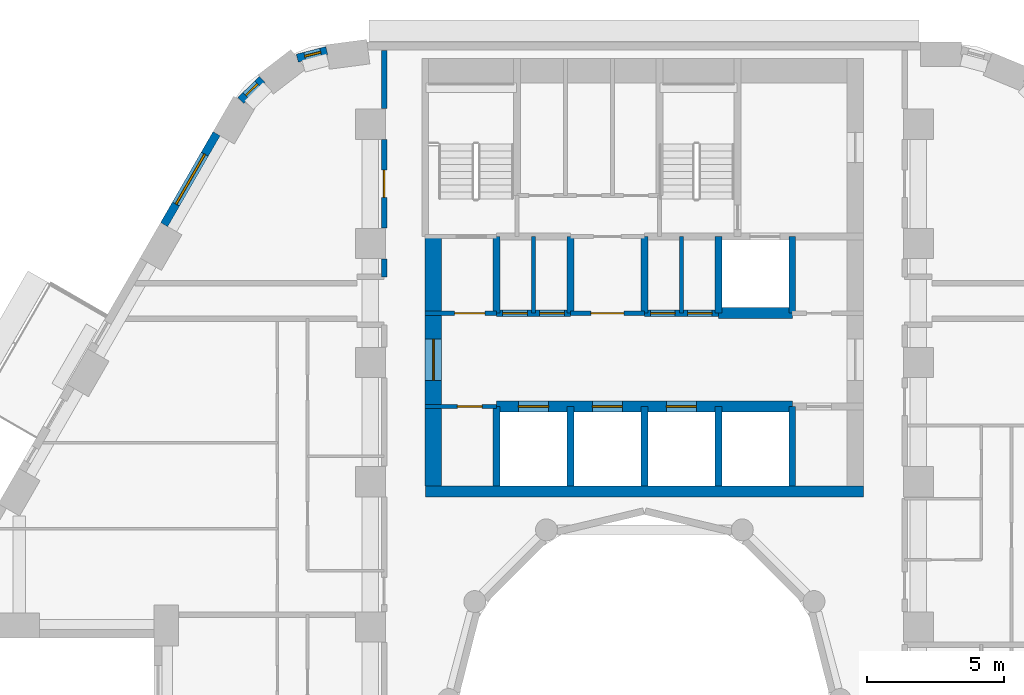
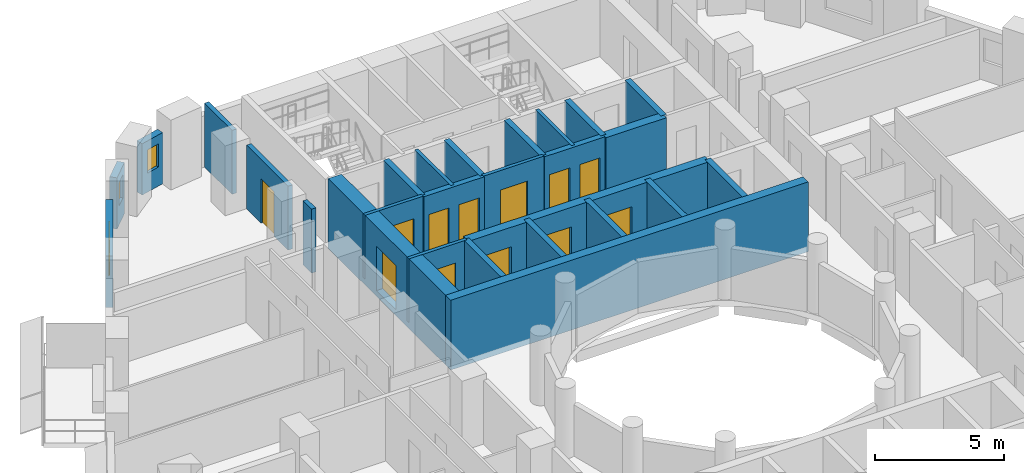
# One storey, part 7 of 13: 27 walls, 12 doors, 3 windows, 15 openings.
"""IFC4 building model written with IfcOpenShell, lengths in metres."""

from ifc_helpers import new_model, si_unit, direction, frame, frame_2d, origin, place, context, subcontext, project, spatial, rectangle, extrude, material, layer, layer_set, type_object, element, fill, save


model = new_model("IFC4")

# Units and contexts
model_context = context("Model", 3, precision=1e-05, world=origin(), true_north=direction((0.0, 1.0)))
body_context = subcontext(model_context, "Body", "Model", "MODEL_VIEW")
ifc_project = project(units=[si_unit("LENGTHUNIT", "METRE"), si_unit("AREAUNIT", "SQUARE_METRE"), si_unit("VOLUMEUNIT", "CUBIC_METRE"), si_unit("PLANEANGLEUNIT", "RADIAN"), si_unit("MASSUNIT", "GRAM", prefix="KILO")], contexts=[model_context])

# Site, building, storey
site_placement = place(None, origin())
site = spatial("IfcSite", under=ifc_project, at=site_placement, CompositionType="ELEMENT")
building_placement = place(site_placement, origin())
building = spatial("IfcBuilding", under=site, at=building_placement, Name="Nakaniwa Court", CompositionType="ELEMENT")
storey_placement = place(building_placement, frame((0.0, 0.0, 44.699951171875)))
storey = spatial("IfcBuildingStorey", under=building, at=storey_placement, Name="L11", CompositionType="ELEMENT", Elevation=44.699951171875)

# Wall
ifc_material_1 = material(Name="Acoustic double stud partition")
ifc_layer_1 = layer(ifc_material_1, 0.199951171875)
ifc_layer_set_1 = layer_set([ifc_layer_1], Name="Acoustic double stud partition")
wall_type_1 = type_object("IfcWallType", Name="Acoustic double stud partition 200", PredefinedType="PARTITIONING", material=ifc_layer_set_1)
wall_1_placement = place(storey_placement, frame((70.5, 95.422119140625, 0.0), z_axis=(0.0, 0.0, 1.0), x_axis=(0.0, 1.0, 0.0)))
element("IfcWall", 1, at=wall_1_placement, inside=storey, type_object=wall_type_1, Name="Partition PW-110", PredefinedType="PARTITIONING", context=body_context, shape_type="SweptSolid", body=[
    extrude(rectangle(XDim=0.660888671875, YDim=0.199951171875, at=frame_2d((0.33056640625, 0.0))), origin(), (0.0, 0.0, 1.0), 3.025146484375),
])

# Wall, opening, door
wall_2_placement = place(storey_placement, frame((70.5, 97.217041015625, 0.0), z_axis=(0.0, 0.0, 1.0), x_axis=(0.0, 1.0, 0.0)))
wall_2 = element("IfcWall", 2, at=wall_2_placement, inside=storey, type_object=wall_type_1, Name="Partition PW-111", PredefinedType="PARTITIONING", context=body_context, shape_type="SweptSolid", body=[
    extrude(rectangle(XDim=3.216064453125, YDim=0.199951171875, at=frame_2d((1.60791015625, 0.0))), origin(), (0.0, 0.0, 1.0), 3.025146484375),
])
opening_1_placement = place(wall_2_placement, frame((1.10791015625, 0.0, 0.0)))
opening_1 = element("IfcOpeningElement", 3, at=opening_1_placement, cuts=wall_2, Name="Opening D-02-04", PredefinedType="OPENING", context=body_context, shape_type="SweptSolid", body=[
    extrude(rectangle(XDim=1.0, YDim=2.10009765625, at=frame_2d((0.5, 1.050048828125))), frame((0.0, 0.10986328125, 0.0), z_axis=(0.0, -1.0, 0.0), x_axis=(1.0, 0.0, 0.0)), (0.0, 0.0, 1.0), 0.219970703125),
])
ifc_material_2 = material(Name="Solid core timber door set, black veneer", Category="wood")
door_type_1 = type_object("IfcDoorType", Name="Internal door 1000", OperationType="NOTDEFINED", PredefinedType="DOOR", material=ifc_material_2)
door_1_placement = place(opening_1_placement, origin())
door_1 = element("IfcDoor", 4, at=door_1_placement, inside=storey, type_object=door_type_1, Name="Door D-02-04 L11-056", OperationType="SINGLE_SWING_LEFT", OverallHeight=2.10009765625, OverallWidth=1.0, PredefinedType="DOOR", context=body_context, shape_type="SweptSolid", body=[
    extrude(rectangle(XDim=1.0, YDim=2.10009765625, at=frame_2d((0.5, 1.050048828125))), frame((0.0, 0.02490234375, 0.0), z_axis=(0.0, -1.0, 0.0), x_axis=(1.0, 0.0, 0.0)), (0.0, 0.0, 1.0), 0.050048828125),
])
fill(opening_1, door_1)

# Wall
wall_3_placement = place(storey_placement, frame((70.5, 101.56689453125, 0.0), z_axis=(0.0, 0.0, 1.0), x_axis=(0.0, 1.0, 0.0)))
element("IfcWall", 5, at=wall_3_placement, inside=storey, type_object=wall_type_1, Name="Partition PW-112", PredefinedType="PARTITIONING", context=body_context, shape_type="SweptSolid", body=[
    extrude(rectangle(XDim=2.133056640625, YDim=0.199951171875, at=frame_2d((1.06640625, 0.0))), origin(), (0.0, 0.0, 1.0), 3.025146484375),
])

# Wall, opening, window
ifc_material_3 = material(Name="Charcoal ceramic cladding")
ifc_layer_2 = layer(ifc_material_3, 0.02, Name="Ceramic cladding")
ifc_material_4 = material(Name="Ventilated air cavity")
ifc_layer_3 = layer(ifc_material_4, 0.04, ventilated=True, Name="Ventilated cavity")
ifc_material_5 = material(Name="Mineral wool insulation")
ifc_layer_4 = layer(ifc_material_5, 0.1, Name="Insulation")
ifc_material_6 = material(Name="Cement bonded sheathing board")
ifc_layer_5 = layer(ifc_material_6, 0.012, Name="Sheathing")
ifc_material_7 = material(Name="Cold-formed galvanised stud frame with mineral wool infill")
ifc_layer_6 = layer(ifc_material_7, 0.1, Name="Stud frame")
ifc_material_8 = material(Name="Fire-rated gypsum plasterboard lining")
ifc_layer_7 = layer(ifc_material_8, 0.028, Name="Lining")
ifc_layer_set_2 = layer_set([ifc_layer_2, ifc_layer_3, ifc_layer_4, ifc_layer_5, ifc_layer_6, ifc_layer_7], Name="Charcoal ceramic faced external wall system")
wall_type_2 = type_object("IfcWallType", Name="Black ceramic faced external wall 300", PredefinedType="SOLIDWALL", material=ifc_layer_set_2)
wall_4_placement = place(storey_placement, frame((68.4052734375, 103.68310546875, 0.0), z_axis=(0.0, 0.0, 1.0), x_axis=(-0.969766298956, -0.244035500304, 0.0)))
wall_4 = element("IfcWall", 6, at=wall_4_placement, inside=storey, type_object=wall_type_2, Name="L11 external wall 09", PredefinedType="SOLIDWALL", context=body_context, shape_type="SweptSolid", body=[
    extrude(rectangle(XDim=1.110595703125, YDim=0.300048828125, at=frame_2d((0.55517578125, 0.0))), origin(), (0.0, 0.0, 1.0), 2.425048828125),
])
opening_2_placement = place(wall_4_placement, frame((0.230712890625, 0.0, 0.89990234375)))
opening_2 = element("IfcOpeningElement", 7, at=opening_2_placement, cuts=wall_4, Name="Opening W8.10", PredefinedType="OPENING", context=body_context, shape_type="SweptSolid", body=[
    extrude(rectangle(XDim=0.60009765625, YDim=1.10009765625, at=frame_2d((0.300048828125, 0.550048828125))), frame((0.0, 0.159912109375, 0.0), z_axis=(0.0, -1.0, 0.0), x_axis=(1.0, 0.0, 0.0)), (0.0, 0.0, 1.0), 0.320068359375),
])
ifc_material_9 = material(Name="Black anodised aluminium frame with dark low-E laminated double glazing", Category="aluminium")
window_type_1 = type_object("IfcWindowType", Name="Dark glass window 600x1100 sill 900", PartitioningType="SINGLE_PANEL", PredefinedType="WINDOW", material=ifc_material_9)
window_1_placement = place(opening_2_placement, origin())
window_1 = element("IfcWindow", 8, at=window_1_placement, inside=storey, type_object=window_type_1, Name="L11 habitable room window 09-0", OverallHeight=1.10009765625, OverallWidth=0.60009765625, PartitioningType="SINGLE_PANEL", PredefinedType="WINDOW", context=body_context, shape_type="SweptSolid", body=[
    extrude(rectangle(XDim=0.60009765625, YDim=1.10009765625, at=frame_2d((0.300048828125, 0.550048828125))), frame((0.0, 0.030029296875, 0.0), z_axis=(0.0, -1.0, 0.0), x_axis=(1.0, 0.0, 0.0)), (0.0, 0.0, 1.0), 0.06005859375),
])
fill(opening_2, window_1)

wall_5_placement = place(storey_placement, frame((66.04150390625, 102.637451171875, 0.0), z_axis=(0.0, 0.0, 1.0), x_axis=(-0.708892395813, -0.705316646024, 0.0)))
wall_5 = element("IfcWall", 9, at=wall_5_placement, inside=storey, type_object=wall_type_2, Name="L11 external wall 10", PredefinedType="SOLIDWALL", context=body_context, shape_type="SweptSolid", body=[
    extrude(rectangle(XDim=1.092529296875, YDim=0.300048828125, at=frame_2d((0.54638671875, 0.0))), origin(), (0.0, 0.0, 1.0), 2.425048828125),
])
opening_3_placement = place(wall_5_placement, frame((0.23583984375, 0.0, 0.89990234375)))
opening_3 = element("IfcOpeningElement", 10, at=opening_3_placement, cuts=wall_5, Name="Opening W8.11", PredefinedType="OPENING", context=body_context, shape_type="SweptSolid", body=[
    extrude(rectangle(XDim=0.60009765625, YDim=1.10009765625, at=frame_2d((0.300048828125, 0.550048828125))), frame((0.0, 0.159912109375, 0.0), z_axis=(0.0, -1.0, 0.0), x_axis=(1.0, 0.0, 0.0)), (0.0, 0.0, 1.0), 0.320068359375),
])
window_2_placement = place(opening_3_placement, origin())
window_2 = element("IfcWindow", 11, at=window_2_placement, inside=storey, type_object=window_type_1, Name="L11 habitable room window 10-0", OverallHeight=1.10009765625, OverallWidth=0.60009765625, PartitioningType="SINGLE_PANEL", PredefinedType="WINDOW", context=body_context, shape_type="SweptSolid", body=[
    extrude(rectangle(XDim=0.60009765625, YDim=1.10009765625, at=frame_2d((0.300048828125, 0.550048828125))), frame((0.0, 0.030029296875, 0.0), z_axis=(0.0, -1.0, 0.0), x_axis=(1.0, 0.0, 0.0)), (0.0, 0.0, 1.0), 0.06005859375),
])
fill(opening_3, window_2)

wall_6_placement = place(storey_placement, frame((64.384765625, 100.653564453125, 0.0), z_axis=(0.0, 0.0, 1.0), x_axis=(-0.499974163209, -0.866040320149, 0.0)))
wall_6 = element("IfcWall", 12, at=wall_6_placement, inside=storey, type_object=wall_type_2, Name="L11 external wall 11", PredefinedType="SOLIDWALL", context=body_context, shape_type="SweptSolid", body=[
    extrude(rectangle(XDim=3.834228515625, YDim=0.300048828125, at=frame_2d((1.9169921875, 0.0))), origin(), (0.0, 0.0, 1.0), 2.425048828125),
])
opening_4_placement = place(wall_6_placement, frame((0.866943359375, 0.0, 0.89990234375)))
opening_4 = element("IfcOpeningElement", 13, at=opening_4_placement, cuts=wall_6, Name="Opening W7.12", PredefinedType="OPENING", context=body_context, shape_type="SweptSolid", body=[
    extrude(rectangle(XDim=2.10009765625, YDim=1.10009765625, at=frame_2d((1.050048828125, 0.550048828125))), frame((0.0, 0.159912109375, 0.0), z_axis=(0.0, -1.0, 0.0), x_axis=(1.0, 0.0, 0.0)), (0.0, 0.0, 1.0), 0.320068359375),
])
window_type_2 = type_object("IfcWindowType", Name="Dark glass window 2100x1100 sill 900", PartitioningType="SINGLE_PANEL", PredefinedType="WINDOW", material=ifc_material_9)
window_3_placement = place(opening_4_placement, origin())
window_3 = element("IfcWindow", 14, at=window_3_placement, inside=storey, type_object=window_type_2, Name="L11 habitable room window 11-0", OverallHeight=1.10009765625, OverallWidth=2.10009765625, PartitioningType="SINGLE_PANEL", PredefinedType="WINDOW", context=body_context, shape_type="SweptSolid", body=[
    extrude(rectangle(XDim=2.10009765625, YDim=1.10009765625, at=frame_2d((1.050048828125, 0.550048828125))), frame((0.0, 0.030029296875, 0.0), z_axis=(0.0, -1.0, 0.0), x_axis=(1.0, 0.0, 0.0)), (0.0, 0.0, 1.0), 0.06005859375),
])
fill(opening_4, window_3)

# Wall, opening, door
ifc_material_10 = material(Name="Blockwork partition", Category="masonry")
ifc_layer_8 = layer(ifc_material_10, 0.14990234375)
ifc_layer_set_3 = layer_set([ifc_layer_8], Name="Blockwork partition")
wall_type_3 = type_object("IfcWallType", Name="Blockwork partition 150", PredefinedType="PARTITIONING", material=ifc_layer_set_3)
wall_7_placement = place(storey_placement, frame((74.60009765625, 90.699951171875, 0.0), z_axis=(0.0, 0.0, 1.0), x_axis=(-1.0, 0.0, 0.0)))
wall_7 = element("IfcWall", 15, at=wall_7_placement, inside=storey, type_object=wall_type_3, Name="Partition PW-003", PredefinedType="PARTITIONING", context=body_context, shape_type="SweptSolid", body=[
    extrude(rectangle(XDim=2.60009765625, YDim=0.14990234375, at=frame_2d((1.300048828125, 0.0))), origin(), (0.0, 0.0, 1.0), 3.025146484375),
])
opening_5_placement = place(wall_7_placement, frame((0.52490234375, 0.0, 0.0)))
opening_5 = element("IfcOpeningElement", 16, at=opening_5_placement, cuts=wall_7, Name="Opening D-05-01", PredefinedType="OPENING", context=body_context, shape_type="SweptSolid", body=[
    extrude(rectangle(XDim=0.89990234375, YDim=2.10009765625, at=frame_2d((0.449951171875, 1.050048828125))), frame((0.0, 0.0849609375, 0.0), z_axis=(0.0, -1.0, 0.0), x_axis=(1.0, 0.0, 0.0)), (0.0, 0.0, 1.0), 0.169921875),
])
ifc_material_11 = material(Name="Fire rated steel door set", Category="steel")
door_type_2 = type_object("IfcDoorType", Name="Service room door 900", OperationType="NOTDEFINED", PredefinedType="DOOR", material=ifc_material_11)
door_2_placement = place(opening_5_placement, origin())
door_2 = element("IfcDoor", 17, at=door_2_placement, inside=storey, type_object=door_type_2, Name="Door D-05-01 L11-001", OperationType="SINGLE_SWING_RIGHT", OverallHeight=2.10009765625, OverallWidth=0.89990234375, PredefinedType="DOOR", context=body_context, shape_type="SweptSolid", body=[
    extrude(rectangle(XDim=0.89990234375, YDim=2.10009765625, at=frame_2d((0.449951171875, 1.050048828125))), frame((0.0, 0.02490234375, 0.0), z_axis=(0.0, -1.0, 0.0), x_axis=(1.0, 0.0, 0.0)), (0.0, 0.0, 1.0), 0.050048828125),
])
fill(opening_5, door_2)

wall_8_placement = place(storey_placement, frame((72.0, 94.10009765625, 0.0), z_axis=(0.0, 0.0, 1.0), x_axis=(1.0, 0.0, 0.0)))
wall_8 = element("IfcWall", 18, at=wall_8_placement, inside=storey, type_object=wall_type_3, Name="Partition PW-016", PredefinedType="PARTITIONING", context=body_context, shape_type="SweptSolid", body=[
    extrude(rectangle(XDim=2.60302734375, YDim=0.14990234375, at=frame_2d((1.301513671875, 0.0))), origin(), (0.0, 0.0, 1.0), 3.025146484375),
])
opening_6_placement = place(wall_8_placement, frame((1.074951171875, 0.0, 0.0)))
opening_6 = element("IfcOpeningElement", 19, at=opening_6_placement, cuts=wall_8, Name="Opening D-08-01", PredefinedType="OPENING", context=body_context, shape_type="SweptSolid", body=[
    extrude(rectangle(XDim=1.10009765625, YDim=2.10009765625, at=frame_2d((0.550048828125, 1.050048828125))), frame((0.0, 0.0849609375, 0.0), z_axis=(0.0, -1.0, 0.0), x_axis=(1.0, 0.0, 0.0)), (0.0, 0.0, 1.0), 0.169921875),
])
door_type_3 = type_object("IfcDoorType", Name="Stair lobby door 1100", OperationType="NOTDEFINED", PredefinedType="DOOR", material=ifc_material_11)
door_3_placement = place(opening_6_placement, origin())
door_3 = element("IfcDoor", 20, at=door_3_placement, inside=storey, type_object=door_type_3, Name="Door D-08-01 L11-003", OperationType="SINGLE_SWING_RIGHT", OverallHeight=2.10009765625, OverallWidth=1.10009765625, PredefinedType="DOOR", context=body_context, shape_type="SweptSolid", body=[
    extrude(rectangle(XDim=1.10009765625, YDim=2.10009765625, at=frame_2d((0.550048828125, 1.050048828125))), frame((0.0, 0.02490234375, 0.0), z_axis=(0.0, -1.0, 0.0), x_axis=(1.0, 0.0, 0.0)), (0.0, 0.0, 1.0), 0.050048828125),
])
fill(opening_6, door_3)

wall_9_placement = place(storey_placement, frame((77.297119140625, 94.10009765625, 0.0), z_axis=(0.0, 0.0, 1.0), x_axis=(1.0, 0.0, 0.0)))
wall_9 = element("IfcWall", 21, at=wall_9_placement, inside=storey, type_object=wall_type_3, Name="Partition PW-017", PredefinedType="PARTITIONING", context=body_context, shape_type="SweptSolid", body=[
    extrude(rectangle(XDim=2.705810546875, YDim=0.14990234375, at=frame_2d((1.35302734375, 0.0))), origin(), (0.0, 0.0, 1.0), 3.025146484375),
])
opening_7_placement = place(wall_9_placement, frame((0.7529296875, 0.0, 0.0)))
opening_7 = element("IfcOpeningElement", 22, at=opening_7_placement, cuts=wall_9, Name="Opening D-06-01", PredefinedType="OPENING", context=body_context, shape_type="SweptSolid", body=[
    extrude(rectangle(XDim=1.199951171875, YDim=2.10009765625, at=frame_2d((0.60009765625, 1.050048828125))), frame((0.0, 0.0849609375, 0.0), z_axis=(0.0, -1.0, 0.0), x_axis=(1.0, 0.0, 0.0)), (0.0, 0.0, 1.0), 0.169921875),
])
ifc_material_12 = material(Name="Fire rated steel double door set", Category="steel")
door_type_4 = type_object("IfcDoorType", Name="Service passage double door 1200", OperationType="NOTDEFINED", PredefinedType="DOOR", material=ifc_material_12)
door_4_placement = place(opening_7_placement, origin())
door_4 = element("IfcDoor", 23, at=door_4_placement, inside=storey, type_object=door_type_4, Name="Door D-06-01 L11-006", OperationType="DOUBLE_DOOR_SINGLE_SWING", OverallHeight=2.10009765625, OverallWidth=1.199951171875, PredefinedType="DOOR", context=body_context, shape_type="SweptSolid", body=[
    extrude(rectangle(XDim=1.199951171875, YDim=2.10009765625, at=frame_2d((0.60009765625, 1.050048828125))), frame((0.0, 0.02490234375, 0.0), z_axis=(0.0, -1.0, 0.0), x_axis=(1.0, 0.0, 0.0)), (0.0, 0.0, 1.0), 0.050048828125),
])
fill(opening_7, door_4)

# Walls
for number, where, z_axis, x_axis, name in (
    (24, (75.949951171875, 94.10009765625, 0.0), (0.0, 0.0, 1.0), (0.0, 1.0, 0.0), "Partition PW-023"),
    (25, (81.35009765625, 94.10009765625, 0.0), (0.0, 0.0, 1.0), (0.0, 1.0, 0.0), "Partition PW-027"),
):
    element("IfcWall", number, at=place(storey_placement, frame(where, z_axis=z_axis, x_axis=x_axis)), inside=storey, type_object=wall_type_3, Name=name, PredefinedType="PARTITIONING", context=body_context, shape_type="SweptSolid", body=[
        extrude(rectangle(XDim=2.7998046875, YDim=0.14990234375, at=frame_2d((1.39990234375, 0.0))), origin(), (0.0, 0.0, 1.0), 3.025146484375),
    ])

# Wall, opening, door
ifc_material_13 = material(Name="Concrete C100/115", Category="concrete")
ifc_layer_9 = layer(ifc_material_13, 0.60009765625)
ifc_layer_set_4 = layer_set([ifc_layer_9], Name="Concrete C100/115")
wall_type_4 = type_object("IfcWallType", Name="Concrete core side wall 600 C100", PredefinedType="SHEAR", material=ifc_layer_set_4)
wall_10_placement = place(storey_placement, frame((72.300048828125, 87.800048828125, -0.27490234375), z_axis=(0.0, 0.0, 1.0), x_axis=(0.0, 1.0, 0.0)))
wall_10 = element("IfcWall", 26, at=wall_10_placement, inside=storey, type_object=wall_type_4, Name="Core wall SW-04", PredefinedType="SHEAR", context=body_context, shape_type="SweptSolid", body=[
    extrude(rectangle(XDim=9.099853515625, YDim=0.60009765625, at=frame_2d((4.5498046875, 0.0))), origin(), (0.0, 0.0, 1.0), 3.300048828125),
])
opening_8_placement = place(wall_10_placement, frame((3.85009765625, 0.0, 0.27490234375)))
opening_8 = element("IfcOpeningElement", 27, at=opening_8_placement, cuts=wall_10, Name="Opening D-07-02", PredefinedType="OPENING", context=body_context, shape_type="SweptSolid", body=[
    extrude(rectangle(XDim=1.5, YDim=2.10009765625, at=frame_2d((0.75, 1.050048828125))), frame((0.0, 0.31005859375, 0.0), z_axis=(0.0, -1.0, 0.0), x_axis=(1.0, 0.0, 0.0)), (0.0, 0.0, 1.0), 0.6201171875),
])
ifc_material_14 = material(Name="Glazed fire rated steel double door set", Category="steel")
door_type_5 = type_object("IfcDoorType", Name="Lobby double door 1500", OperationType="NOTDEFINED", PredefinedType="DOOR", material=ifc_material_14)
door_5_placement = place(opening_8_placement, origin())
door_5 = element("IfcDoor", 28, at=door_5_placement, inside=storey, type_object=door_type_5, Name="Door D-07-02 L11-061", OperationType="DOUBLE_DOOR_SINGLE_SWING", OverallHeight=2.10009765625, OverallWidth=1.5, PredefinedType="DOOR", context=body_context, shape_type="SweptSolid", body=[
    extrude(rectangle(XDim=1.5, YDim=2.10009765625, at=frame_2d((0.75, 1.050048828125))), frame((0.0, 0.02490234375, 0.0), z_axis=(0.0, -1.0, 0.0), x_axis=(1.0, 0.0, 0.0)), (0.0, 0.0, 1.0), 0.050048828125),
])
fill(opening_8, door_5)

# Wall, openings, doors
ifc_layer_10 = layer(ifc_material_13, 0.39990234375)
ifc_layer_set_5 = layer_set([ifc_layer_10], Name="Concrete C100/115")
wall_type_5 = type_object("IfcWallType", Name="Concrete core spine wall 400 C100", PredefinedType="SHEAR", material=ifc_layer_set_5)
wall_11_placement = place(storey_placement, frame((74.60009765625, 90.699951171875, -0.27490234375), z_axis=(0.0, 0.0, 1.0), x_axis=(1.0, 0.0, 0.0)))
wall_11 = element("IfcWall", 29, at=wall_11_placement, inside=storey, type_object=wall_type_5, Name="Core wall SW-07", PredefinedType="SHEAR", context=body_context, shape_type="SweptSolid", body=[
    extrude(rectangle(XDim=10.7998046875, YDim=0.39990234375, at=frame_2d((5.39990234375, 0.0))), origin(), (0.0, 0.0, 1.0), 3.300048828125),
])
opening_9_placement = place(wall_11_placement, frame((0.800048828125, 0.0, 0.27490234375)))
opening_9 = element("IfcOpeningElement", 30, at=opening_9_placement, cuts=wall_11, Name="Opening LD01", PredefinedType="OPENING", context=body_context, shape_type="SweptSolid", body=[
    extrude(rectangle(XDim=1.10009765625, YDim=2.10009765625, at=frame_2d((0.550048828125, 1.050048828125))), frame((0.0, 0.2099609375, 0.0), z_axis=(0.0, -1.0, 0.0), x_axis=(1.0, 0.0, 0.0)), (0.0, 0.0, 1.0), 0.419921875),
])
opening_10_placement = place(wall_11_placement, frame((3.5, 0.0, 0.27490234375)))
opening_10 = element("IfcOpeningElement", 31, at=opening_10_placement, cuts=wall_11, Name="Opening LD02", PredefinedType="OPENING", context=body_context, shape_type="SweptSolid", body=[
    extrude(rectangle(XDim=1.10009765625, YDim=2.10009765625, at=frame_2d((0.550048828125, 1.050048828125))), frame((0.0, 0.2099609375, 0.0), z_axis=(0.0, -1.0, 0.0), x_axis=(1.0, 0.0, 0.0)), (0.0, 0.0, 1.0), 0.419921875),
])
opening_11_placement = place(wall_11_placement, frame((6.199951171875, 0.0, 0.27490234375)))
opening_11 = element("IfcOpeningElement", 32, at=opening_11_placement, cuts=wall_11, Name="Opening LD03", PredefinedType="OPENING", context=body_context, shape_type="SweptSolid", body=[
    extrude(rectangle(XDim=1.10009765625, YDim=2.10009765625, at=frame_2d((0.550048828125, 1.050048828125))), frame((0.0, 0.2099609375, 0.0), z_axis=(0.0, -1.0, 0.0), x_axis=(1.0, 0.0, 0.0)), (0.0, 0.0, 1.0), 0.419921875),
])
ifc_material_15 = material(Name="Stainless steel sliding lift landing door", Category="steel")
door_type_6 = type_object("IfcDoorType", Name="Lift landing door 1100", OperationType="NOTDEFINED", PredefinedType="DOOR", material=ifc_material_15)
door_6_placement = place(opening_9_placement, origin())
door_6 = element("IfcDoor", 33, at=door_6_placement, inside=storey, type_object=door_type_6, Name="Lift landing door LD01 L11-001", OperationType="SLIDING_TO_LEFT", OverallHeight=2.10009765625, OverallWidth=1.10009765625, PredefinedType="DOOR", context=body_context, shape_type="SweptSolid", body=[
    extrude(rectangle(XDim=1.10009765625, YDim=2.10009765625, at=frame_2d((0.550048828125, 1.050048828125))), frame((0.0, 0.02490234375, 0.0), z_axis=(0.0, -1.0, 0.0), x_axis=(1.0, 0.0, 0.0)), (0.0, 0.0, 1.0), 0.050048828125),
])
fill(opening_9, door_6)
door_7_placement = place(opening_10_placement, origin())
door_7 = element("IfcDoor", 34, at=door_7_placement, inside=storey, type_object=door_type_6, Name="Lift landing door LD02 L11-002", OperationType="SLIDING_TO_LEFT", OverallHeight=2.10009765625, OverallWidth=1.10009765625, PredefinedType="DOOR", context=body_context, shape_type="SweptSolid", body=[
    extrude(rectangle(XDim=1.10009765625, YDim=2.10009765625, at=frame_2d((0.550048828125, 1.050048828125))), frame((0.0, 0.02490234375, 0.0), z_axis=(0.0, -1.0, 0.0), x_axis=(1.0, 0.0, 0.0)), (0.0, 0.0, 1.0), 0.050048828125),
])
fill(opening_10, door_7)
door_8_placement = place(opening_11_placement, origin())
door_8 = element("IfcDoor", 35, at=door_8_placement, inside=storey, type_object=door_type_6, Name="Lift landing door LD03 L11-003", OperationType="SLIDING_TO_LEFT", OverallHeight=2.10009765625, OverallWidth=1.10009765625, PredefinedType="DOOR", context=body_context, shape_type="SweptSolid", body=[
    extrude(rectangle(XDim=1.10009765625, YDim=2.10009765625, at=frame_2d((0.550048828125, 1.050048828125))), frame((0.0, 0.02490234375, 0.0), z_axis=(0.0, -1.0, 0.0), x_axis=(1.0, 0.0, 0.0)), (0.0, 0.0, 1.0), 0.050048828125),
])
fill(opening_11, door_8)

# Walls
wall_12_placement = place(storey_placement, frame((82.697021484375, 94.10009765625, -0.27490234375), z_axis=(0.0, 0.0, 1.0), x_axis=(1.0, 0.0, 0.0)))
element("IfcWall", 36, at=wall_12_placement, inside=storey, type_object=wall_type_5, Name="Core wall SW-21", PredefinedType="SHEAR", context=body_context, shape_type="SweptSolid", body=[
    extrude(rectangle(XDim=2.7060546875, YDim=0.39990234375, at=frame_2d((1.35302734375, 0.0))), origin(), (0.0, 0.0, 1.0), 3.300048828125),
])
ifc_layer_11 = layer(ifc_material_13, 0.39990234375)
ifc_layer_set_6 = layer_set([ifc_layer_11], Name="Concrete C100/115")
wall_type_6 = type_object("IfcWallType", Name="Concrete core well wall 400 C100", PredefinedType="SHEAR", material=ifc_layer_set_6)
wall_13_placement = place(storey_placement, frame((72.00390625, 87.60009765625, -0.27490234375), z_axis=(0.0, 0.0, 1.0), x_axis=(1.0, 0.0, 0.0)))
element("IfcWall", 37, at=wall_13_placement, inside=storey, type_object=wall_type_6, Name="Core wall SW-138", PredefinedType="SHEAR", context=body_context, shape_type="SweptSolid", body=[
    extrude(rectangle(XDim=15.9921875, YDim=0.39990234375, at=frame_2d((7.99609375, 0.0))), origin(), (0.0, 0.0, 1.0), 3.300048828125),
])
ifc_layer_12 = layer(ifc_material_13, 0.25)
ifc_layer_set_7 = layer_set([ifc_layer_12], Name="Concrete C100/115")
wall_type_7 = type_object("IfcWallType", Name="Concrete shaft wall 250 C100", PredefinedType="SHEAR", material=ifc_layer_set_7)
wall_14_placement = place(storey_placement, frame((74.60009765625, 87.800048828125, -0.27490234375), z_axis=(0.0, 0.0, 1.0), x_axis=(0.0, 1.0, 0.0)))
element("IfcWall", 38, at=wall_14_placement, inside=storey, type_object=wall_type_7, Name="Core wall SW-01", PredefinedType="SHEAR", context=body_context, shape_type="SweptSolid", body=[
    extrude(rectangle(XDim=2.89990234375, YDim=0.25, at=frame_2d((1.449951171875, 0.0))), origin(), (0.0, 0.0, 1.0), 3.300048828125),
])
wall_15_placement = place(storey_placement, frame((74.60009765625, 94.10009765625, -0.27490234375), z_axis=(0.0, 0.0, 1.0), x_axis=(0.0, 1.0, 0.0)))
element("IfcWall", 39, at=wall_15_placement, inside=storey, type_object=wall_type_7, Name="Core wall SW-02", PredefinedType="SHEAR", context=body_context, shape_type="SweptSolid", body=[
    extrude(rectangle(XDim=2.7998046875, YDim=0.25, at=frame_2d((1.39990234375, 0.0))), origin(), (0.0, 0.0, 1.0), 3.300048828125),
])
wall_16_placement = place(storey_placement, frame((77.300048828125, 87.800048828125, -0.27490234375), z_axis=(0.0, 0.0, 1.0), x_axis=(0.0, 1.0, 0.0)))
element("IfcWall", 40, at=wall_16_placement, inside=storey, type_object=wall_type_7, Name="Core wall SW-05", PredefinedType="SHEAR", context=body_context, shape_type="SweptSolid", body=[
    extrude(rectangle(XDim=2.89990234375, YDim=0.25, at=frame_2d((1.449951171875, 0.0))), origin(), (0.0, 0.0, 1.0), 3.300048828125),
])
wall_17_placement = place(storey_placement, frame((77.300048828125, 94.10009765625, -0.27490234375), z_axis=(0.0, 0.0, 1.0), x_axis=(0.0, 1.0, 0.0)))
element("IfcWall", 41, at=wall_17_placement, inside=storey, type_object=wall_type_7, Name="Core wall SW-06", PredefinedType="SHEAR", context=body_context, shape_type="SweptSolid", body=[
    extrude(rectangle(XDim=2.7998046875, YDim=0.25, at=frame_2d((1.39990234375, 0.0))), origin(), (0.0, 0.0, 1.0), 3.300048828125),
])
wall_18_placement = place(storey_placement, frame((80.0, 87.800048828125, -0.27490234375), z_axis=(0.0, 0.0, 1.0), x_axis=(0.0, 1.0, 0.0)))
element("IfcWall", 42, at=wall_18_placement, inside=storey, type_object=wall_type_7, Name="Core wall SW-08", PredefinedType="SHEAR", context=body_context, shape_type="SweptSolid", body=[
    extrude(rectangle(XDim=2.89990234375, YDim=0.25, at=frame_2d((1.449951171875, 0.0))), origin(), (0.0, 0.0, 1.0), 3.300048828125),
])
wall_19_placement = place(storey_placement, frame((80.0, 94.10009765625, -0.27490234375), z_axis=(0.0, 0.0, 1.0), x_axis=(0.0, 1.0, 0.0)))
element("IfcWall", 43, at=wall_19_placement, inside=storey, type_object=wall_type_7, Name="Core wall SW-09", PredefinedType="SHEAR", context=body_context, shape_type="SweptSolid", body=[
    extrude(rectangle(XDim=2.7998046875, YDim=0.25, at=frame_2d((1.39990234375, 0.0))), origin(), (0.0, 0.0, 1.0), 3.300048828125),
])
wall_20_placement = place(storey_placement, frame((82.699951171875, 87.800048828125, -0.27490234375), z_axis=(0.0, 0.0, 1.0), x_axis=(0.0, 1.0, 0.0)))
element("IfcWall", 44, at=wall_20_placement, inside=storey, type_object=wall_type_7, Name="Core wall SW-10", PredefinedType="SHEAR", context=body_context, shape_type="SweptSolid", body=[
    extrude(rectangle(XDim=2.89990234375, YDim=0.25, at=frame_2d((1.449951171875, 0.0))), origin(), (0.0, 0.0, 1.0), 3.300048828125),
])
wall_21_placement = place(storey_placement, frame((82.699951171875, 94.10009765625, -0.27490234375), z_axis=(0.0, 0.0, 1.0), x_axis=(0.0, 1.0, 0.0)))
element("IfcWall", 45, at=wall_21_placement, inside=storey, type_object=wall_type_7, Name="Core wall SW-11", PredefinedType="SHEAR", context=body_context, shape_type="SweptSolid", body=[
    extrude(rectangle(XDim=2.7998046875, YDim=0.25, at=frame_2d((1.39990234375, 0.0))), origin(), (0.0, 0.0, 1.0), 3.300048828125),
])
wall_22_placement = place(storey_placement, frame((85.39990234375, 87.800048828125, -0.27490234375), z_axis=(0.0, 0.0, 1.0), x_axis=(0.0, 1.0, 0.0)))
element("IfcWall", 46, at=wall_22_placement, inside=storey, type_object=wall_type_7, Name="Core wall SW-12", PredefinedType="SHEAR", context=body_context, shape_type="SweptSolid", body=[
    extrude(rectangle(XDim=2.89990234375, YDim=0.25, at=frame_2d((1.449951171875, 0.0))), origin(), (0.0, 0.0, 1.0), 3.300048828125),
])
wall_23_placement = place(storey_placement, frame((85.39990234375, 94.10009765625, -0.27490234375), z_axis=(0.0, 0.0, 1.0), x_axis=(0.0, 1.0, 0.0)))
element("IfcWall", 47, at=wall_23_placement, inside=storey, type_object=wall_type_7, Name="Core wall SW-13", PredefinedType="SHEAR", context=body_context, shape_type="SweptSolid", body=[
    extrude(rectangle(XDim=2.7998046875, YDim=0.25, at=frame_2d((1.39990234375, 0.0))), origin(), (0.0, 0.0, 1.0), 3.300048828125),
])

# Wall, openings, doors
wall_24_placement = place(storey_placement, frame((74.596923828125, 94.10009765625, -0.27490234375), z_axis=(0.0, 0.0, 1.0), x_axis=(1.0, 0.0, 0.0)))
wall_24 = element("IfcWall", 48, at=wall_24_placement, inside=storey, type_object=wall_type_7, Name="Core wall SW-19", PredefinedType="SHEAR", context=body_context, shape_type="SweptSolid", body=[
    extrude(rectangle(XDim=2.7060546875, YDim=0.25, at=frame_2d((1.35302734375, 0.0))), origin(), (0.0, 0.0, 1.0), 3.300048828125),
])
opening_12_placement = place(wall_24_placement, frame((0.22802734375, 0.0, 0.27490234375)))
opening_12 = element("IfcOpeningElement", 49, at=opening_12_placement, cuts=wall_24, Name="Opening D-05-03", PredefinedType="OPENING", context=body_context, shape_type="SweptSolid", body=[
    extrude(rectangle(XDim=0.89990234375, YDim=2.10009765625, at=frame_2d((0.449951171875, 1.050048828125))), frame((0.0, 0.135009765625, 0.0), z_axis=(0.0, -1.0, 0.0), x_axis=(1.0, 0.0, 0.0)), (0.0, 0.0, 1.0), 0.27001953125),
])
opening_13_placement = place(wall_24_placement, frame((1.577880859375, 0.0, 0.27490234375)))
opening_13 = element("IfcOpeningElement", 50, at=opening_13_placement, cuts=wall_24, Name="Opening D-05-04", PredefinedType="OPENING", context=body_context, shape_type="SweptSolid", body=[
    extrude(rectangle(XDim=0.89990234375, YDim=2.10009765625, at=frame_2d((0.449951171875, 1.050048828125))), frame((0.0, 0.135009765625, 0.0), z_axis=(0.0, -1.0, 0.0), x_axis=(1.0, 0.0, 0.0)), (0.0, 0.0, 1.0), 0.27001953125),
])
door_9_placement = place(opening_12_placement, origin())
door_9 = element("IfcDoor", 51, at=door_9_placement, inside=storey, type_object=door_type_2, Name="Door D-05-03 L11-004", OperationType="SINGLE_SWING_LEFT", OverallHeight=2.10009765625, OverallWidth=0.89990234375, PredefinedType="DOOR", context=body_context, shape_type="SweptSolid", body=[
    extrude(rectangle(XDim=0.89990234375, YDim=2.10009765625, at=frame_2d((0.449951171875, 1.050048828125))), frame((0.0, 0.02490234375, 0.0), z_axis=(0.0, -1.0, 0.0), x_axis=(1.0, 0.0, 0.0)), (0.0, 0.0, 1.0), 0.050048828125),
])
fill(opening_12, door_9)
door_10_placement = place(opening_13_placement, origin())
door_10 = element("IfcDoor", 52, at=door_10_placement, inside=storey, type_object=door_type_2, Name="Door D-05-04 L11-005", OperationType="SINGLE_SWING_RIGHT", OverallHeight=2.10009765625, OverallWidth=0.89990234375, PredefinedType="DOOR", context=body_context, shape_type="SweptSolid", body=[
    extrude(rectangle(XDim=0.89990234375, YDim=2.10009765625, at=frame_2d((0.449951171875, 1.050048828125))), frame((0.0, 0.02490234375, 0.0), z_axis=(0.0, -1.0, 0.0), x_axis=(1.0, 0.0, 0.0)), (0.0, 0.0, 1.0), 0.050048828125),
])
fill(opening_13, door_10)

wall_25_placement = place(storey_placement, frame((79.9970703125, 94.10009765625, -0.27490234375), z_axis=(0.0, 0.0, 1.0), x_axis=(1.0, 0.0, 0.0)))
wall_25 = element("IfcWall", 53, at=wall_25_placement, inside=storey, type_object=wall_type_7, Name="Core wall SW-20", PredefinedType="SHEAR", context=body_context, shape_type="SweptSolid", body=[
    extrude(rectangle(XDim=2.705810546875, YDim=0.25, at=frame_2d((1.35302734375, 0.0))), origin(), (0.0, 0.0, 1.0), 3.300048828125),
])
opening_14_placement = place(wall_25_placement, frame((0.22802734375, 0.0, 0.27490234375)))
opening_14 = element("IfcOpeningElement", 54, at=opening_14_placement, cuts=wall_25, Name="Opening D-05-05", PredefinedType="OPENING", context=body_context, shape_type="SweptSolid", body=[
    extrude(rectangle(XDim=0.89990234375, YDim=2.10009765625, at=frame_2d((0.449951171875, 1.050048828125))), frame((0.0, 0.135009765625, 0.0), z_axis=(0.0, -1.0, 0.0), x_axis=(1.0, 0.0, 0.0)), (0.0, 0.0, 1.0), 0.27001953125),
])
opening_15_placement = place(wall_25_placement, frame((1.577880859375, 0.0, 0.27490234375)))
opening_15 = element("IfcOpeningElement", 55, at=opening_15_placement, cuts=wall_25, Name="Opening D-05-06", PredefinedType="OPENING", context=body_context, shape_type="SweptSolid", body=[
    extrude(rectangle(XDim=0.89990234375, YDim=2.10009765625, at=frame_2d((0.449951171875, 1.050048828125))), frame((0.0, 0.135009765625, 0.0), z_axis=(0.0, -1.0, 0.0), x_axis=(1.0, 0.0, 0.0)), (0.0, 0.0, 1.0), 0.27001953125),
])
door_11_placement = place(opening_14_placement, origin())
door_11 = element("IfcDoor", 56, at=door_11_placement, inside=storey, type_object=door_type_2, Name="Door D-05-05 L11-007", OperationType="SINGLE_SWING_RIGHT", OverallHeight=2.10009765625, OverallWidth=0.89990234375, PredefinedType="DOOR", context=body_context, shape_type="SweptSolid", body=[
    extrude(rectangle(XDim=0.89990234375, YDim=2.10009765625, at=frame_2d((0.449951171875, 1.050048828125))), frame((0.0, 0.02490234375, 0.0), z_axis=(0.0, -1.0, 0.0), x_axis=(1.0, 0.0, 0.0)), (0.0, 0.0, 1.0), 0.050048828125),
])
fill(opening_14, door_11)
door_12_placement = place(opening_15_placement, origin())
door_12 = element("IfcDoor", 57, at=door_12_placement, inside=storey, type_object=door_type_2, Name="Door D-05-06 L11-008", OperationType="SINGLE_SWING_LEFT", OverallHeight=2.10009765625, OverallWidth=0.89990234375, PredefinedType="DOOR", context=body_context, shape_type="SweptSolid", body=[
    extrude(rectangle(XDim=0.89990234375, YDim=2.10009765625, at=frame_2d((0.449951171875, 1.050048828125))), frame((0.0, 0.02490234375, 0.0), z_axis=(0.0, -1.0, 0.0), x_axis=(1.0, 0.0, 0.0)), (0.0, 0.0, 1.0), 0.050048828125),
])
fill(opening_15, door_12)

save(model, "model.ifc")
